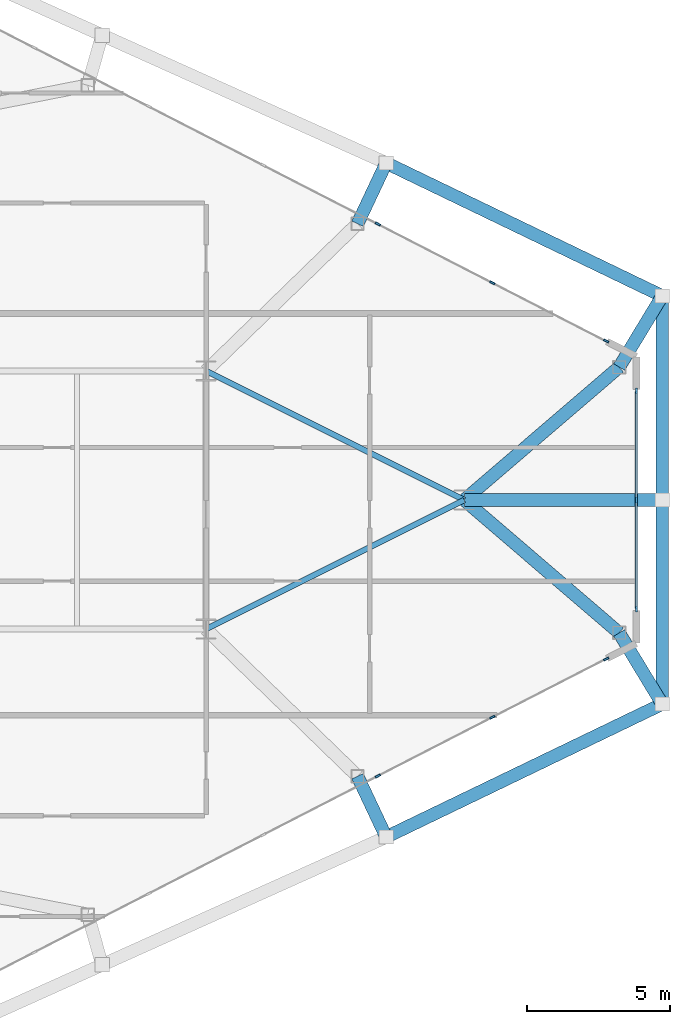
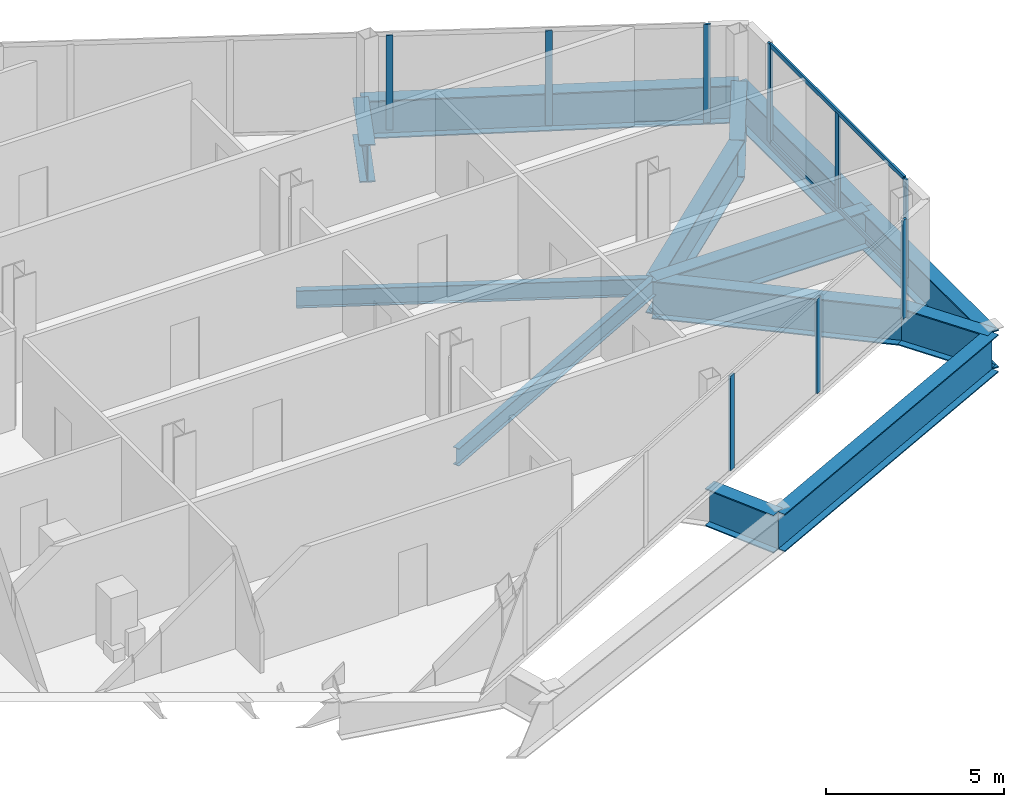
# One storey, part 16 of 28: 13 beams, 11 members, 3 elements without a shape of their own.
"""IFC4 building model written with IfcOpenShell, lengths in metres."""

from ifc_helpers import new_model, si_unit, direction, frame, origin, origin_2d, place, context, subcontext, project, spatial, rectangle, i_section, extrude, source, transform, mapped, material, layer, layer_set, material_profile, profile_set, type_object, type_shapes, element, aggregate, save


model = new_model("IFC4")

# Units and contexts
model_context = context("Model", 3, precision=1e-05, world=origin(), true_north=direction((0.0, 1.0)))
body_context = subcontext(model_context, "Body", "Model", "MODEL_VIEW")
ifc_project = project(units=[si_unit("LENGTHUNIT", "METRE"), si_unit("AREAUNIT", "SQUARE_METRE"), si_unit("VOLUMEUNIT", "CUBIC_METRE"), si_unit("PLANEANGLEUNIT", "RADIAN"), si_unit("MASSUNIT", "GRAM", prefix="KILO")], contexts=[model_context])

# Site, building, storey
site_placement = place(None, origin())
site = spatial("IfcSite", under=ifc_project, at=site_placement, CompositionType="ELEMENT")
building_placement = place(site_placement, origin())
building = spatial("IfcBuilding", under=site, at=building_placement, Name="Seokmaru Belvedere", CompositionType="ELEMENT")
storey_placement = place(building_placement, frame((0.0, 0.0, 110.39990234375)))
storey = spatial("IfcBuildingStorey", under=building, at=storey_placement, Name="L29", CompositionType="ELEMENT", Elevation=110.39990234375)

# Beams
ifc_material_1 = material(Name="Steel HSA650 (650 MPa)", Category="steel")
ifc_material_profile_1 = material_profile(ifc_material_1, i_section(OverallWidth=0.449951171875, OverallDepth=1.300048828125, WebThickness=0.02197265625, FlangeThickness=0.0380859375, at=origin_2d()), Name="BH-1300x450x22x38")
ifc_profile_set_1 = profile_set([ifc_material_profile_1], Name="Steel HSA650 (650 MPa)")
beam_type_1 = type_object("IfcBeamType", Name="Observatory Long-Span Roof Girder BH-1300", PredefinedType="BEAM", material=ifc_profile_set_1)
shared_shape_1 = source(origin(), body_context, "Body", "SweptSolid", [
    extrude(i_section(OverallWidth=0.449951171875, OverallDepth=1.300048828125, WebThickness=0.02197265625, FlangeThickness=0.0380859375, at=origin_2d()), origin(), (0.0, 0.0, 1.0), 6.89990234375),
])
beam_placement = place(storey_placement, frame((70.39990234375, 0.0, -0.869873046875), z_axis=(-1.0, 0.0, 0.0), x_axis=(0.0, -1.0, 0.0)))
element("IfcBeam", 1, at=beam_placement, inside=storey, type_object=beam_type_1, Name="L29 Apex Mid Cap Girder", PredefinedType="BEAM", context=body_context, shape_type="MappedRepresentation", body=[
    mapped(shared_shape_1, transform((0.0, 0.0, 0.0), scale=1.0)),
])
ifc_material_2 = material(Name="Steel SM355 (355 MPa)", Category="steel")
ifc_material_profile_2 = material_profile(ifc_material_2, i_section(OverallWidth=0.199951171875, OverallDepth=0.60009765625, WebThickness=0.010986328125, FlangeThickness=0.01708984375, at=origin_2d()), Name="H-600x200x11x17")
ifc_profile_set_2 = profile_set([ifc_material_profile_2], Name="Steel SM355 (355 MPa)")
beam_type_2 = type_object("IfcBeamType", Name="Primary Floor Girder H-600", PredefinedType="BEAM", material=ifc_profile_set_2)
shared_shape_2 = source(origin(), body_context, "Body", "SweptSolid", [
    extrude(i_section(OverallWidth=0.199951171875, OverallDepth=0.60009765625, WebThickness=0.010986328125, FlangeThickness=0.01708984375, at=origin_2d()), origin(), (0.0, 0.0, 1.0), 10.062255859375),
])
type_shapes(beam_type_2, [shared_shape_2])
for number, where, z_axis, x_axis, name in (
    (2, (54.5, -4.5, -0.52001953125), (0.894427191, 0.4472135955, 0.0), (-0.4472135955, 0.894427191, 0.0), "L29 E Apex Converging Girder 1"),
    (3, (54.5, 4.5, -0.52001953125), (0.894427191, -0.4472135955, 0.0), (0.4472135955, 0.894427191, 0.0), "L29 E Apex Converging Girder 2"),
):
    element("IfcBeam", number, at=place(storey_placement, frame(where, z_axis=z_axis, x_axis=x_axis)), inside=storey, type_object=beam_type_2, Name=name, PredefinedType="BEAM", context=body_context, shape_type="MappedRepresentation", body=[
        mapped(shared_shape_2, transform((0.0, 0.0, 0.0), scale=1.0)),
    ])
shared_shape_3 = source(origin(), body_context, "Body", "SweptSolid", [
    extrude(i_section(OverallWidth=0.449951171875, OverallDepth=1.300048828125, WebThickness=0.02197265625, FlangeThickness=0.0380859375, at=origin_2d()), origin(), (0.0, 0.0, 1.0), 10.681396484375),
])
for number, where, z_axis, x_axis, name in (
    (4, (60.777587890625, -11.749267578125, -0.869873046875), (0.900846426616, 0.434137899352, 0.0), (-0.434137899352, 0.900846426616, 0.0), "L29 E Faceted Flank Spandrel S-4"),
    (5, (60.777587890625, 11.749267578125, -0.869873046875), (0.900846426616, -0.434137899352, 0.0), (0.434137899352, 0.900846426616, 0.0), "L29 E Faceted Flank Spandrel N-4"),
):
    element("IfcBeam", number, at=place(storey_placement, frame(where, z_axis=z_axis, x_axis=x_axis)), inside=storey, type_object=beam_type_1, Name=name, PredefinedType="BEAM", context=body_context, shape_type="MappedRepresentation", body=[
        mapped(shared_shape_3, transform((0.0, 0.0, 0.0), scale=1.0)),
    ])
shared_shape_4 = source(origin(), body_context, "Body", "SweptSolid", [
    extrude(i_section(OverallWidth=0.449951171875, OverallDepth=1.300048828125, WebThickness=0.02197265625, FlangeThickness=0.0380859375, at=origin_2d()), origin(), (0.0, 0.0, 1.0), 7.112060546875),
])
for number, where, z_axis, x_axis, name in (
    (6, (70.39990234375, -7.112060546875, -0.869873046875), (0.0, 1.0, 0.0), (-1.0, 0.0, 0.0), "L29 E Faceted Apex Spandrel S"),
    (7, (70.39990234375, 0.0, -0.869873046875), (0.0, 1.0, 0.0), (-1.0, 0.0, 0.0), "L29 E Faceted Apex Spandrel N"),
):
    element("IfcBeam", number, at=place(storey_placement, frame(where, z_axis=z_axis, x_axis=x_axis)), inside=storey, type_object=beam_type_1, Name=name, PredefinedType="BEAM", context=body_context, shape_type="MappedRepresentation", body=[
        mapped(shared_shape_4, transform((0.0, 0.0, 0.0), scale=1.0)),
    ])
shared_shape_5 = source(origin(), body_context, "Body", "SweptSolid", [
    extrude(i_section(OverallWidth=0.449951171875, OverallDepth=1.300048828125, WebThickness=0.02197265625, FlangeThickness=0.0380859375, at=origin_2d()), origin(), (0.0, 0.0, 1.0), 2.89697265625),
])
for number, where, z_axis, x_axis, name in (
    (8, (70.39990234375, -7.112060546875, -0.869873046875), (-0.517763725218, 0.855523655341, 0.0), (-0.855523655341, -0.517763725218, 0.0), "L29 E Setback Transfer Girder 2"),
    (9, (70.39990234375, 7.112060546875, -0.869873046875), (-0.517763725218, -0.855523655341, 0.0), (0.855523655341, -0.517763725218, 0.0), "L29 E Setback Transfer Girder 3"),
):
    element("IfcBeam", number, at=place(storey_placement, frame(where, z_axis=z_axis, x_axis=x_axis)), inside=storey, type_object=beam_type_1, Name=name, PredefinedType="BEAM", context=body_context, shape_type="MappedRepresentation", body=[
        mapped(shared_shape_5, transform((0.0, 0.0, 0.0), scale=1.0)),
    ])
shared_shape_6 = source(origin(), body_context, "Body", "SweptSolid", [
    extrude(i_section(OverallWidth=0.449951171875, OverallDepth=1.300048828125, WebThickness=0.02197265625, FlangeThickness=0.0380859375, at=origin_2d()), origin(), (0.0, 0.0, 1.0), 7.115478515625),
])
for number, where, z_axis, x_axis, name in (
    (10, (68.89990234375, -4.633544921875, -0.869873046875), (-0.758905301881, 0.651201000289, 0.0), (-0.651201000289, -0.758905301881, 0.0), "L29 E Apex Sanity Tie Girder 2"),
    (11, (68.89990234375, 4.633544921875, -0.869873046875), (-0.758905301881, -0.651201000289, 0.0), (0.651201000289, -0.758905301881, 0.0), "L29 E Apex Sanity Tie Girder 3"),
):
    element("IfcBeam", number, at=place(storey_placement, frame(where, z_axis=z_axis, x_axis=x_axis)), inside=storey, type_object=beam_type_1, Name=name, PredefinedType="BEAM", context=body_context, shape_type="MappedRepresentation", body=[
        mapped(shared_shape_6, transform((0.0, 0.0, 0.0), scale=1.0)),
    ])
shared_shape_7 = source(origin(), body_context, "Body", "SweptSolid", [
    extrude(i_section(OverallWidth=0.449951171875, OverallDepth=1.300048828125, WebThickness=0.02197265625, FlangeThickness=0.0380859375, at=origin_2d()), origin(), (0.0, 0.0, 1.0), 2.343994140625),
])
type_shapes(beam_type_1, [shared_shape_1, shared_shape_3, shared_shape_4, shared_shape_5, shared_shape_6, shared_shape_7])
for number, where, z_axis, x_axis, name in (
    (12, (60.777587890625, -11.749267578125, -0.869873046875), (-0.426218346971, 0.904620318534, 0.0), (-0.904620318534, -0.426218346971, 0.0), "L29 E Flank Setback Step Girder S-3"),
    (13, (60.777587890625, 11.749267578125, -0.869873046875), (-0.426218346971, -0.904620318534, 0.0), (0.904620318534, -0.426218346971, 0.0), "L29 E Flank Setback Step Girder N-3"),
):
    element("IfcBeam", number, at=place(storey_placement, frame(where, z_axis=z_axis, x_axis=x_axis)), inside=storey, type_object=beam_type_1, Name=name, PredefinedType="BEAM", context=body_context, shape_type="MappedRepresentation", body=[
        mapped(shared_shape_7, transform((0.0, 0.0, 0.0), scale=1.0)),
    ])

# Curtain wall, member
ifc_material_3 = material(Name="Bronze Triple Insulating Glass", Category="glass")
ifc_layer = layer(ifc_material_3, 0.195068359375)
ifc_layer_set = layer_set([ifc_layer], Name="Bronze Triple Insulating Glass")
curtain_wall_type = type_object("IfcCurtainWallType", Name="Sky-Lobby and Mid-Rise Curtain Wall System CW-4", PredefinedType="NOTDEFINED", material=ifc_layer_set)
curtain_wall_1_placement = place(storey_placement, origin())
curtain_wall_1 = element("IfcCurtainWall", 14, at=curtain_wall_1_placement, inside=storey, type_object=curtain_wall_type, Name="L29 Curtain Wall EF1", PredefinedType="NOTDEFINED")
ifc_material_4 = material(Name="Anodised Bronze Aluminium", Category="aluminium")
ifc_material_profile_3 = material_profile(ifc_material_4, rectangle(XDim=0.070068359375, YDim=0.195068359375, at=origin_2d()), Name="CW-M-70x195")
ifc_profile_set_3 = profile_set([ifc_material_profile_3], Name="Anodised Bronze Aluminium")
member_type_1 = type_object("IfcMemberType", Name="Bronze Unitised Mullion 70x195", PredefinedType="MULLION", material=ifc_profile_set_3)
shared_shape_8 = source(origin(), body_context, "Body", "SweptSolid", [
    extrude(rectangle(XDim=0.070068359375, YDim=0.195068359375, at=origin_2d()), origin(), (0.0, 0.0, 1.0), 3.380126953125),
])
member_1_placement = place(storey_placement, frame((68.44580078125, -5.541015625, 0.0), z_axis=(0.0, 0.0, 1.0), x_axis=(-0.456554528263, 0.889695432562, 0.0)))
member_1 = element("IfcMember", 15, at=member_1_placement, type_object=member_type_1, Name="CW:L29:EF1 Mullion 10", PredefinedType="MULLION", context=body_context, shape_type="MappedRepresentation", body=[
    mapped(shared_shape_8, transform((0.0, 0.0, 0.0), scale=1.0)),
])

# Curtain wall, members
curtain_wall_2_placement = place(storey_placement, origin())
curtain_wall_2 = element("IfcCurtainWall", 16, at=curtain_wall_2_placement, inside=storey, type_object=curtain_wall_type, Name="L29 Curtain Wall EF2", PredefinedType="NOTDEFINED")
member_2_placement = place(storey_placement, frame((69.5, -3.81494140625, 0.0), z_axis=(0.0, 0.0, 1.0), x_axis=(-1.0, 0.0, 0.0)))
member_2 = element("IfcMember", 17, at=member_2_placement, type_object=member_type_1, Name="CW:L29:EF2 Mullion 1", PredefinedType="MULLION", context=body_context, shape_type="MappedRepresentation", body=[
    mapped(shared_shape_8, transform((0.0, 0.0, 0.0), scale=1.0)),
])
member_3_placement = place(storey_placement, frame((69.5, 3.81494140625, 0.0), z_axis=(0.0, 0.0, 1.0), x_axis=(-1.0, 0.0, 0.0)))
member_3 = element("IfcMember", 18, at=member_3_placement, type_object=member_type_1, Name="CW:L29:EF2 Mullion 3", PredefinedType="MULLION", context=body_context, shape_type="MappedRepresentation", body=[
    mapped(shared_shape_8, transform((0.0, 0.0, 0.0), scale=1.0)),
])

# Curtain wall, member
curtain_wall_3_placement = place(storey_placement, origin())
curtain_wall_3 = element("IfcCurtainWall", 19, at=curtain_wall_3_placement, inside=storey, type_object=curtain_wall_type, Name="L29 Curtain Wall EF3", PredefinedType="NOTDEFINED")
member_4_placement = place(storey_placement, frame((68.44580078125, 5.541015625, 0.0), z_axis=(0.0, 0.0, 1.0), x_axis=(-0.456554528263, -0.889695432562, 0.0)))
member_4 = element("IfcMember", 20, at=member_4_placement, type_object=member_type_1, Name="CW:L29:EF3 Mullion 1", PredefinedType="MULLION", context=body_context, shape_type="MappedRepresentation", body=[
    mapped(shared_shape_8, transform((0.0, 0.0, 0.0), scale=1.0)),
])

# Member
shared_shape_9 = source(origin(), body_context, "Body", "SweptSolid", [
    extrude(rectangle(XDim=0.070068359375, YDim=0.195068359375, at=origin_2d()), origin(), (0.0, 0.0, 1.0), 3.25),
])
type_shapes(member_type_1, [shared_shape_8, shared_shape_9])
member_5_placement = place(storey_placement, frame((60.4873046875, -9.625, 0.065185546875), z_axis=(0.0, 0.0, 1.0), x_axis=(-0.456554528263, 0.889695432562, 0.0)))
member_5 = element("IfcMember", 21, at=member_5_placement, type_object=member_type_1, Name="CW:L29:EF1 Mullion 8", PredefinedType="MULLION", context=body_context, shape_type="MappedRepresentation", body=[
    mapped(shared_shape_9, transform((0.0, 0.0, 0.0), scale=1.0)),
])

member_6_placement = place(storey_placement, frame((64.48193359375, -7.574951171875, 0.065185546875), z_axis=(0.0, 0.0, 1.0), x_axis=(-0.456554528263, 0.889695432562, 0.0)))
member_6 = element("IfcMember", 22, at=member_6_placement, type_object=member_type_1, Name="CW:L29:EF1 Mullion 9", PredefinedType="MULLION", context=body_context, shape_type="MappedRepresentation", body=[
    mapped(shared_shape_9, transform((0.0, 0.0, 0.0), scale=1.0)),
])

aggregate(curtain_wall_1, [member_5, member_6, member_1])

member_7_placement = place(storey_placement, frame((69.5, 0.0, 0.065185546875), z_axis=(0.0, 0.0, 1.0), x_axis=(-1.0, 0.0, 0.0)))
member_7 = element("IfcMember", 23, at=member_7_placement, type_object=member_type_1, Name="CW:L29:EF2 Mullion 2", PredefinedType="MULLION", context=body_context, shape_type="MappedRepresentation", body=[
    mapped(shared_shape_9, transform((0.0, 0.0, 0.0), scale=1.0)),
])

member_8_placement = place(storey_placement, frame((64.48193359375, 7.574951171875, 0.065185546875), z_axis=(0.0, 0.0, 1.0), x_axis=(-0.456554528263, -0.889695432562, 0.0)))
member_8 = element("IfcMember", 24, at=member_8_placement, type_object=member_type_1, Name="CW:L29:EF3 Mullion 2", PredefinedType="MULLION", context=body_context, shape_type="MappedRepresentation", body=[
    mapped(shared_shape_9, transform((0.0, 0.0, 0.0), scale=1.0)),
])

member_9_placement = place(storey_placement, frame((60.4873046875, 9.625, 0.065185546875), z_axis=(0.0, 0.0, 1.0), x_axis=(-0.456554528263, -0.889695432562, 0.0)))
member_9 = element("IfcMember", 25, at=member_9_placement, type_object=member_type_1, Name="CW:L29:EF3 Mullion 3", PredefinedType="MULLION", context=body_context, shape_type="MappedRepresentation", body=[
    mapped(shared_shape_9, transform((0.0, 0.0, 0.0), scale=1.0)),
])

aggregate(curtain_wall_3, [member_4, member_8, member_9])

ifc_material_profile_4 = material_profile(ifc_material_4, rectangle(XDim=0.06494140625, YDim=0.14990234375, at=origin_2d()), Name="CW-T-65x150")
ifc_profile_set_4 = profile_set([ifc_material_profile_4], Name="Anodised Bronze Aluminium")
member_type_2 = type_object("IfcMemberType", Name="Bronze Unitised Transom 65x150", PredefinedType="USERDEFINED", material=ifc_profile_set_4)
shared_shape_10 = source(origin(), body_context, "Body", "SweptSolid", [
    extrude(rectangle(XDim=0.06494140625, YDim=0.14990234375, at=origin_2d()), origin(), (0.0, 0.0, 1.0), 7.56005859375),
])
type_shapes(member_type_2, [shared_shape_10])
member_10_placement = place(storey_placement, frame((69.5, -3.780029296875, 0.03271484375), z_axis=(0.0, 1.0, 0.0), x_axis=(-1.0, 0.0, 0.0)))
member_10 = element("IfcMember", 26, at=member_10_placement, type_object=member_type_2, Name="CW:L29:EF2 Continuous Transom 1", ObjectType="TRANSOM", PredefinedType="USERDEFINED", context=body_context, shape_type="MappedRepresentation", body=[
    mapped(shared_shape_10, transform((0.0, 0.0, 0.0), scale=1.0)),
])

member_11_placement = place(storey_placement, frame((69.5, -3.780029296875, 3.34765625), z_axis=(0.0, 1.0, 0.0), x_axis=(-1.0, 0.0, 0.0)))
member_11 = element("IfcMember", 27, at=member_11_placement, type_object=member_type_2, Name="CW:L29:EF2 Continuous Transom 2", ObjectType="TRANSOM", PredefinedType="USERDEFINED", context=body_context, shape_type="MappedRepresentation", body=[
    mapped(shared_shape_10, transform((0.0, 0.0, 0.0), scale=1.0)),
])

aggregate(curtain_wall_2, [member_2, member_7, member_3, member_10, member_11])

save(model, "model.ifc")
